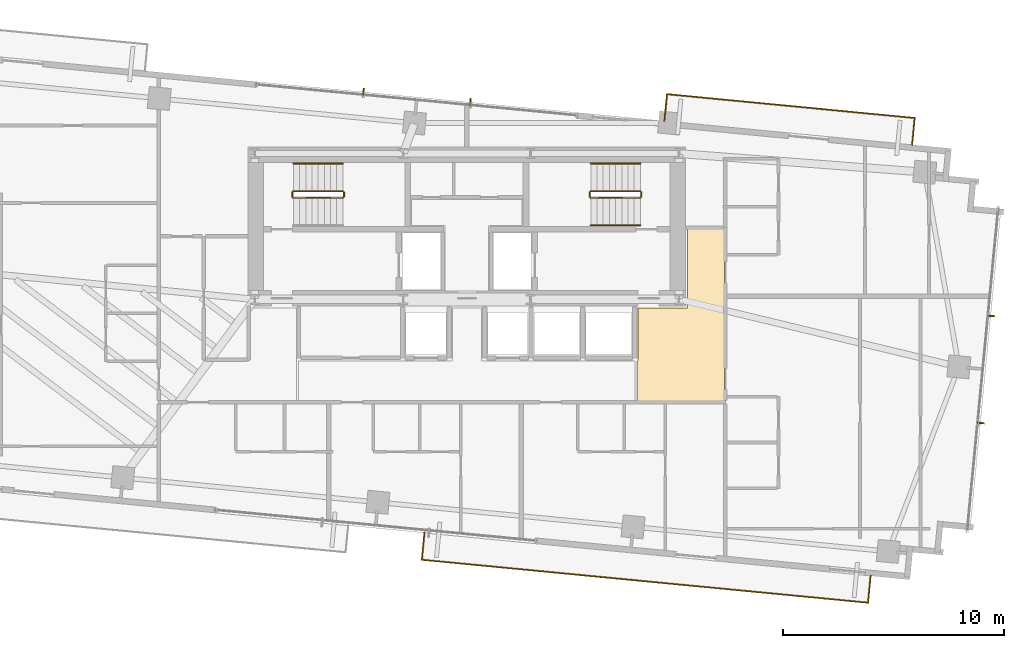
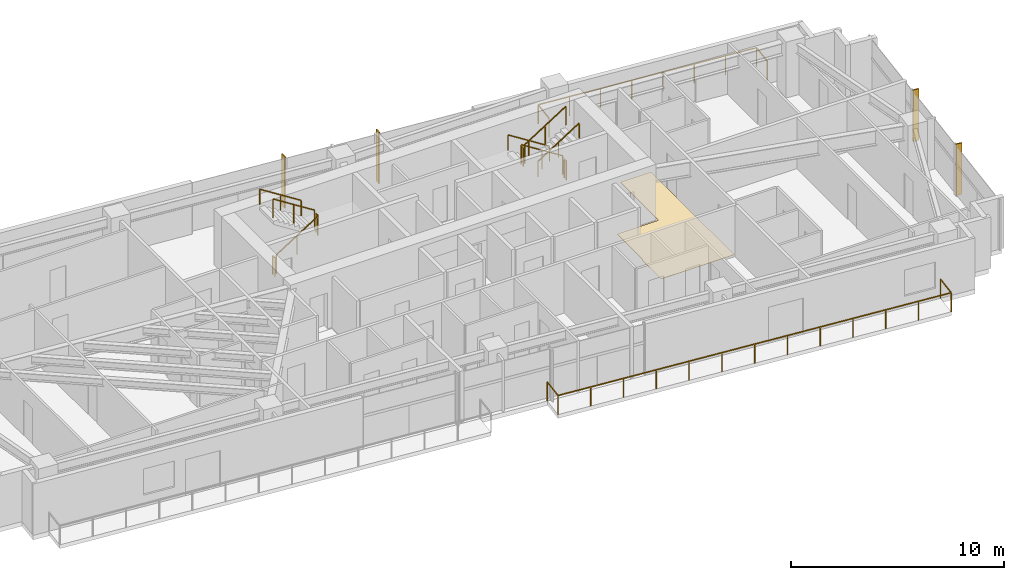
# One storey, part 19 of 19: 13 railings, 4 shading devices, 1 covering.
"""IFC4 building model written with IfcOpenShell, lengths in metres."""

from ifc_helpers import new_model, si_unit, direction, frame, origin, origin_2d, place, context, subcontext, project, spatial, polyline, rectangle, outline, extrude, source, transform, mapped, material, layer, layer_set, type_object, type_shapes, element, save


model = new_model("IFC4")

# Units and contexts
model_context = context("Model", 3, precision=1e-05, world=origin(), true_north=direction((0.0, 1.0)))
body_context = subcontext(model_context, "Body", "Model", "MODEL_VIEW")
ifc_project = project(units=[si_unit("LENGTHUNIT", "METRE"), si_unit("AREAUNIT", "SQUARE_METRE"), si_unit("VOLUMEUNIT", "CUBIC_METRE"), si_unit("PLANEANGLEUNIT", "RADIAN"), si_unit("MASSUNIT", "GRAM", prefix="KILO")], contexts=[model_context])

# Site, building, storey
site_placement = place(None, origin())
site = spatial("IfcSite", under=ifc_project, at=site_placement, CompositionType="ELEMENT")
building_placement = place(site_placement, origin())
building = spatial("IfcBuilding", under=site, at=building_placement, Name="Astriad Promenade Condominiums", CompositionType="ELEMENT")
storey_placement = place(building_placement, frame((0.0, 0.0, 140.60009765625)))
storey = spatial("IfcBuildingStorey", under=building, at=storey_placement, Name="L40", CompositionType="ELEMENT", Elevation=140.60009765625)

# Covering
ifc_material_1 = material(Name="Polished Lakefront Terrazzo Flooring")
ifc_layer = layer(ifc_material_1, 0.02001953125)
ifc_layer_set = layer_set([ifc_layer], Name="Polished Lakefront Terrazzo Flooring")
covering_type = type_object("IfcCoveringType", Name="COV-FLOR-TERRAZZO-20", PredefinedType="FLOORING", material=ifc_layer_set)
covering_placement = place(storey_placement, origin())
element("IfcCovering", 1, at=covering_placement, inside=storey, type_object=covering_type, Name="FLR-L40-COR-1", PredefinedType="FLOORING", context=body_context, shape_type="SweptSolid", body=[
    extrude(outline(polyline([(43.699951171875, 12.7900390625), (43.699951171875, 14.610107421875), (43.703857421875, 14.610107421875), (43.707763671875, 14.61083984375), (43.711669921875, 14.61181640625), (43.71533203125, 14.613037109375), (43.718994140625, 14.61474609375), (43.72216796875, 14.61669921875), (43.725341796875, 14.619140625), (43.728271484375, 14.62158203125), (43.73095703125, 14.62451171875), (43.7333984375, 14.627685546875), (43.7353515625, 14.631103515625), (43.737060546875, 14.634765625), (43.73828125, 14.638427734375), (43.7392578125, 14.64208984375), (43.73974609375, 14.64599609375), (43.739990234375, 14.64990234375), (43.739990234375, 17.010009765625), (45.949951171875, 17.010009765625), (45.953857421875, 17.01025390625), (45.957763671875, 17.0107421875), (45.961669921875, 17.01171875), (45.96533203125, 17.012939453125), (45.968994140625, 17.0146484375), (45.97216796875, 17.0166015625), (45.975341796875, 17.01904296875), (45.978271484375, 17.021728515625), (45.98095703125, 17.024658203125), (45.9833984375, 17.02783203125), (45.9853515625, 17.031005859375), (45.987060546875, 17.03466796875), (45.98828125, 17.038330078125), (45.9892578125, 17.042236328125), (45.98974609375, 17.046142578125), (45.989990234375, 17.050048828125), (45.989990234375, 20.610107421875), (47.659912109375, 20.610107421875), (47.659912109375, 12.7900390625), (43.699951171875, 12.7900390625)])), origin(), (0.0, 0.0, 1.0), 0.02001953125),
])

# Shading devices
ifc_material_2 = material(Name="Anodised aluminium 6063-T6 Black Fin", Category="aluminium")
shading_device_type = type_object("IfcShadingDeviceType", Name="FIN-BLACK-260", PredefinedType="USERDEFINED", material=ifc_material_2)
shared_shape_1 = source(origin(), body_context, "Body", "SweptSolid", [
    extrude(rectangle(XDim=0.06494140625, YDim=0.320068359375, at=origin_2d()), origin(), (0.0, 0.0, 1.0), 2.93994140625),
])
type_shapes(shading_device_type, [shared_shape_1])
for number, where, z_axis, x_axis, name in (
    (2, (31.3212890625, 26.7978515625, 0.0), (0.0, 0.0, 1.0), (0.995396198367, -0.09584575252, 0.0), "CW-L40-N-FIN-01"),
    (3, (36.1591796875, 26.331787109375, 0.0), (0.0, 0.0, 1.0), (0.995396198367, -0.09584575252, 0.0), "CW-L40-N-FIN-02"),
    (4, (59.7197265625, 16.652587890625, 0.0), (0.0, 0.0, 1.0), (-0.09584575252, -0.995396198367, 0.0), "CW-L40-E-FIN-01"),
    (5, (59.25341796875, 11.808349609375, 0.0), (0.0, 0.0, 1.0), (-0.09584575252, -0.995396198367, 0.0), "CW-L40-E-FIN-02"),
):
    element("IfcShadingDevice", number, at=place(storey_placement, frame(where, z_axis=z_axis, x_axis=x_axis)), inside=storey, type_object=shading_device_type, Name=name, ObjectType="FIN", PredefinedType="USERDEFINED", context=body_context, shape_type="MappedRepresentation", body=[
        mapped(shared_shape_1, transform((0.0, 0.0, 0.0), scale=1.0)),
    ])

# Railings
ifc_material_3 = material(Name="Laminated Glass and Stainless Steel Balustrade", Category="steel")
railing_type_1 = type_object("IfcRailingType", Name="GRD-BALC-1120", PredefinedType="BALUSTRADE", material=ifc_material_3)
shared_shape_2 = source(origin(), body_context, "Body", "SweptSolid", [
    extrude(rectangle(XDim=0.048095703125, YDim=0.048095703125, at=origin_2d()), frame((0.0, 0.0, 1.09619140625), z_axis=(-0.0958382164, -0.995396923984, 0.0), x_axis=(0.995396923984, -0.0958382164, 0.0)), (0.0, 0.0, 1.0), 1.22021484375),
    extrude(rectangle(XDim=0.048095703125, YDim=0.048095703125, at=origin_2d()), frame((-0.116943359375, -1.214599609375, 1.09619140625), z_axis=(0.995396607143, -0.09584150713, 0.0), x_axis=(0.09584150713, 0.995396607143, 0.0)), (0.0, 0.0, 1.0), 20.287109375),
    extrude(rectangle(XDim=0.048095703125, YDim=0.048095703125, at=origin_2d()), frame((20.07666015625, -3.158935546875, 1.09619140625), z_axis=(0.095857307208, 0.99539508571, 0.0), x_axis=(-0.99539508571, 0.095857307208, 0.0)), (0.0, 0.0, 1.0), 1.219970703125),
    extrude(rectangle(XDim=0.0419921875, YDim=0.0419921875, at=origin_2d()), origin(), (0.0, 0.0, 1.0), 1.072021484375),
    extrude(rectangle(XDim=0.0419921875, YDim=0.0419921875, at=origin_2d()), frame((-0.116943359375, -1.214599609375, 0.0)), (0.0, 0.0, 1.0), 1.072021484375),
    extrude(rectangle(XDim=0.0419921875, YDim=0.0419921875, at=origin_2d()), frame((1.56591796875, -1.376708984375, 0.0)), (0.0, 0.0, 1.0), 1.072021484375),
    extrude(rectangle(XDim=0.0419921875, YDim=0.0419921875, at=origin_2d()), frame((3.24853515625, -1.53857421875, 0.0)), (0.0, 0.0, 1.0), 1.072021484375),
    extrude(rectangle(XDim=0.0419921875, YDim=0.0419921875, at=origin_2d()), frame((4.931396484375, -1.70068359375, 0.0)), (0.0, 0.0, 1.0), 1.072021484375),
    extrude(rectangle(XDim=0.0419921875, YDim=0.0419921875, at=origin_2d()), frame((6.6142578125, -1.86279296875, 0.0)), (0.0, 0.0, 1.0), 1.072021484375),
    extrude(rectangle(XDim=0.0419921875, YDim=0.0419921875, at=origin_2d()), frame((8.297119140625, -2.024658203125, 0.0)), (0.0, 0.0, 1.0), 1.072021484375),
    extrude(rectangle(XDim=0.0419921875, YDim=0.0419921875, at=origin_2d()), frame((9.97998046875, -2.186767578125, 0.0)), (0.0, 0.0, 1.0), 1.072021484375),
    extrude(rectangle(XDim=0.0419921875, YDim=0.0419921875, at=origin_2d()), frame((11.66259765625, -2.348876953125, 0.0)), (0.0, 0.0, 1.0), 1.072021484375),
    extrude(rectangle(XDim=0.0419921875, YDim=0.0419921875, at=origin_2d()), frame((13.345458984375, -2.5107421875, 0.0)), (0.0, 0.0, 1.0), 1.072021484375),
    extrude(rectangle(XDim=0.0419921875, YDim=0.0419921875, at=origin_2d()), frame((15.0283203125, -2.6728515625, 0.0)), (0.0, 0.0, 1.0), 1.072021484375),
    extrude(rectangle(XDim=0.0419921875, YDim=0.0419921875, at=origin_2d()), frame((16.7109375, -2.8349609375, 0.0)), (0.0, 0.0, 1.0), 1.072021484375),
    extrude(rectangle(XDim=0.0419921875, YDim=0.0419921875, at=origin_2d()), frame((18.393798828125, -2.996826171875, 0.0)), (0.0, 0.0, 1.0), 1.072021484375),
    extrude(rectangle(XDim=0.0419921875, YDim=0.0419921875, at=origin_2d()), frame((20.07666015625, -3.158935546875, 0.0)), (0.0, 0.0, 1.0), 1.072021484375),
    extrude(rectangle(XDim=0.0419921875, YDim=0.0419921875, at=origin_2d()), frame((20.193603515625, -1.944580078125, 0.0)), (0.0, 0.0, 1.0), 1.072021484375),
])
railing_1_placement = place(storey_placement, frame((34.077392578125, 6.831787109375, 0.0)))
element("IfcRailing", 6, at=railing_1_placement, inside=storey, type_object=railing_type_1, Name="GRD-BALC-L40-SE", PredefinedType="BALUSTRADE", context=body_context, shape_type="MappedRepresentation", body=[
    mapped(shared_shape_2, transform((0.0, 0.0, 0.0), scale=1.0)),
])
shared_shape_3 = source(origin(), body_context, "Body", "SweptSolid", [
    extrude(rectangle(XDim=0.048095703125, YDim=0.048095703125, at=origin_2d()), frame((0.0, 0.0, 1.09619140625), z_axis=(0.095857307208, 0.99539508571, 0.0), x_axis=(-0.99539508571, 0.095857307208, 0.0)), (0.0, 0.0, 1.0), 1.219970703125),
    extrude(rectangle(XDim=0.048095703125, YDim=0.048095703125, at=origin_2d()), frame((0.116943359375, 1.21435546875, 1.09619140625), z_axis=(-0.995396352499, 0.095844151786, 0.0), x_axis=(-0.095844151786, -0.995396352499, 0.0)), (0.0, 0.0, 1.0), 11.263916015625),
    extrude(rectangle(XDim=0.048095703125, YDim=0.048095703125, at=origin_2d()), frame((-11.09521484375, 2.2939453125, 1.09619140625), z_axis=(-0.095857307208, -0.99539508571, 0.0), x_axis=(0.99539508571, -0.095857307208, 0.0)), (0.0, 0.0, 1.0), 1.219970703125),
    extrude(rectangle(XDim=0.0419921875, YDim=0.0419921875, at=origin_2d()), origin(), (0.0, 0.0, 1.0), 1.072021484375),
    extrude(rectangle(XDim=0.0419921875, YDim=0.0419921875, at=origin_2d()), frame((0.116943359375, 1.21435546875, 0.0)), (0.0, 0.0, 1.0), 1.072021484375),
    extrude(rectangle(XDim=0.0419921875, YDim=0.0419921875, at=origin_2d()), frame((-1.48486328125, 1.36865234375, 0.0)), (0.0, 0.0, 1.0), 1.072021484375),
    extrude(rectangle(XDim=0.0419921875, YDim=0.0419921875, at=origin_2d()), frame((-3.08642578125, 1.522705078125, 0.0)), (0.0, 0.0, 1.0), 1.072021484375),
    extrude(rectangle(XDim=0.0419921875, YDim=0.0419921875, at=origin_2d()), frame((-4.688232421875, 1.677001953125, 0.0)), (0.0, 0.0, 1.0), 1.072021484375),
    extrude(rectangle(XDim=0.0419921875, YDim=0.0419921875, at=origin_2d()), frame((-6.2900390625, 1.831298828125, 0.0)), (0.0, 0.0, 1.0), 1.072021484375),
    extrude(rectangle(XDim=0.0419921875, YDim=0.0419921875, at=origin_2d()), frame((-7.891845703125, 1.985595703125, 0.0)), (0.0, 0.0, 1.0), 1.072021484375),
    extrude(rectangle(XDim=0.0419921875, YDim=0.0419921875, at=origin_2d()), frame((-9.493408203125, 2.1396484375, 0.0)), (0.0, 0.0, 1.0), 1.072021484375),
    extrude(rectangle(XDim=0.0419921875, YDim=0.0419921875, at=origin_2d()), frame((-11.09521484375, 2.2939453125, 0.0)), (0.0, 0.0, 1.0), 1.072021484375),
    extrude(rectangle(XDim=0.0419921875, YDim=0.0419921875, at=origin_2d()), frame((-11.212158203125, 1.07958984375, 0.0)), (0.0, 0.0, 1.0), 1.072021484375),
])
type_shapes(railing_type_1, [shared_shape_2, shared_shape_3])
railing_2_placement = place(storey_placement, frame((56.149658203125, 24.39697265625, 0.0)))
element("IfcRailing", 7, at=railing_2_placement, inside=storey, type_object=railing_type_1, Name="GRD-BALC-L40-NE", PredefinedType="BALUSTRADE", context=body_context, shape_type="MappedRepresentation", body=[
    mapped(shared_shape_3, transform((0.0, 0.0, 0.0), scale=1.0)),
])
ifc_material_4 = material(Name="Painted Galvanised Steel Guardrail", Category="steel")
railing_type_2 = type_object("IfcRailingType", Name="GRD-STAIR-1100", PredefinedType="GUARDRAIL", material=ifc_material_4)
shared_shape_4 = source(origin(), body_context, "Body", "SweptSolid", [
    extrude(rectangle(XDim=0.048095703125, YDim=0.048095703125, at=origin_2d()), frame((0.0, 0.0, 1.076171875), z_axis=(0.0, 1.0, 0.0), x_axis=(-1.0, 0.0, 0.0)), (0.0, 0.0, 1.0), 0.199951171875),
    extrude(rectangle(XDim=0.0419921875, YDim=0.0419921875, at=origin_2d()), origin(), (0.0, 0.0, 1.0), 1.052001953125),
    extrude(rectangle(XDim=0.0419921875, YDim=0.0419921875, at=origin_2d()), frame((0.0, 0.199951171875, 0.0)), (0.0, 0.0, 1.0), 1.052001953125),
])
for number, where, name in (
    (8, (30.43994140625, 22.050048828125, 1.599853515625), "L40 ST-1 stair guard 2"),
    (9, (28.10009765625, 22.050048828125, 0.0), "L40 ST-1 stair guard 4"),
):
    element("IfcRailing", number, at=place(storey_placement, frame(where)), inside=storey, type_object=railing_type_2, Name=name, PredefinedType="GUARDRAIL", context=body_context, shape_type="MappedRepresentation", body=[
        mapped(shared_shape_4, transform((0.0, 0.0, 0.0), scale=1.0)),
    ])
shared_shape_5 = source(origin(), body_context, "Body", "SweptSolid", [
    extrude(rectangle(XDim=0.048095703125, YDim=0.048095703125, at=origin_2d()), frame((0.0, 0.0, 1.076171875), z_axis=(0.84418770128, 0.0, 0.536047689118), x_axis=(0.0, 1.0, 0.0)), (0.0, 0.0, 1.0), 2.6533203125),
    extrude(rectangle(XDim=0.0419921875, YDim=0.0419921875, at=origin_2d()), origin(), (0.0, 0.0, 1.0), 1.052001953125),
    extrude(rectangle(XDim=0.0419921875, YDim=0.0419921875, at=origin_2d()), frame((1.1201171875, 0.0, 0.711181640625)), (0.0, 0.0, 1.0), 1.052001953125),
    extrude(rectangle(XDim=0.0419921875, YDim=0.0419921875, at=origin_2d()), frame((2.239990234375, 0.0, 1.42236328125)), (0.0, 0.0, 1.0), 1.052001953125),
])
railing_3_placement = place(storey_placement, frame((41.610107421875, 22.0, 1.777587890625)))
element("IfcRailing", 10, at=railing_3_placement, inside=storey, type_object=railing_type_2, Name="L40 ST-2 stair guard 3", PredefinedType="GUARDRAIL", context=body_context, shape_type="MappedRepresentation", body=[
    mapped(shared_shape_5, transform((0.0, 0.0, 0.0), scale=1.0)),
])
shared_shape_6 = source(origin(), body_context, "Body", "SweptSolid", [
    extrude(rectangle(XDim=0.048095703125, YDim=0.048095703125, at=origin_2d()), frame((0.0, 0.0, 1.076171875), z_axis=(-0.8442293374, 0.0, 0.53598211339), x_axis=(0.0, -1.0, 0.0)), (0.0, 0.0, 1.0), 2.6533203125),
    extrude(rectangle(XDim=0.0419921875, YDim=0.0419921875, at=origin_2d()), origin(), (0.0, 0.0, 1.0), 1.052001953125),
    extrude(rectangle(XDim=0.0419921875, YDim=0.0419921875, at=origin_2d()), frame((-1.1201171875, 0.0, 0.7109375)), (0.0, 0.0, 1.0), 1.052001953125),
    extrude(rectangle(XDim=0.0419921875, YDim=0.0419921875, at=origin_2d()), frame((-2.239990234375, 0.0, 1.422119140625)), (0.0, 0.0, 1.0), 1.052001953125),
])
railing_4_placement = place(storey_placement, frame((43.85009765625, 22.300048828125, 0.177734375)))
element("IfcRailing", 11, at=railing_4_placement, inside=storey, type_object=railing_type_2, Name="L40 ST-2 stair guard 1", PredefinedType="GUARDRAIL", context=body_context, shape_type="MappedRepresentation", body=[
    mapped(shared_shape_6, transform((0.0, 0.0, 0.0), scale=1.0)),
])
ifc_material_5 = material(Name="Brushed Stainless Steel Handrail", Category="steel")
railing_type_3 = type_object("IfcRailingType", Name="HRL-STAIR-920", PredefinedType="HANDRAIL", material=ifc_material_5)
shared_shape_7 = source(origin(), body_context, "Body", "SweptSolid", [
    extrude(rectangle(XDim=0.048095703125, YDim=0.048095703125, at=origin_2d()), frame((0.0, 0.0, 0.8759765625), z_axis=(0.84418770128, 0.0, 0.536047689118), x_axis=(0.0, 1.0, 0.0)), (0.0, 0.0, 1.0), 2.6533203125),
    extrude(rectangle(XDim=0.0419921875, YDim=0.0419921875, at=origin_2d()), origin(), (0.0, 0.0, 1.0), 0.851806640625),
    extrude(rectangle(XDim=0.0419921875, YDim=0.0419921875, at=origin_2d()), frame((1.1201171875, 0.0, 0.711181640625)), (0.0, 0.0, 1.0), 0.851806640625),
    extrude(rectangle(XDim=0.0419921875, YDim=0.0419921875, at=origin_2d()), frame((2.239990234375, 0.0, 1.42236328125)), (0.0, 0.0, 1.0), 0.851806640625),
])
railing_5_placement = place(storey_placement, frame((41.610107421875, 20.75, 1.777587890625)))
element("IfcRailing", 12, at=railing_5_placement, inside=storey, type_object=railing_type_3, Name="L40 ST-2 stair handrail 2", PredefinedType="HANDRAIL", context=body_context, shape_type="MappedRepresentation", body=[
    mapped(shared_shape_7, transform((0.0, 0.0, 0.0), scale=1.0)),
])
shared_shape_8 = source(origin(), body_context, "Body", "SweptSolid", [
    extrude(rectangle(XDim=0.048095703125, YDim=0.048095703125, at=origin_2d()), frame((0.0, 0.0, 0.8759765625), z_axis=(-0.8442293374, 0.0, 0.53598211339), x_axis=(0.0, -1.0, 0.0)), (0.0, 0.0, 1.0), 2.6533203125),
    extrude(rectangle(XDim=0.0419921875, YDim=0.0419921875, at=origin_2d()), origin(), (0.0, 0.0, 1.0), 0.851806640625),
    extrude(rectangle(XDim=0.0419921875, YDim=0.0419921875, at=origin_2d()), frame((-1.1201171875, 0.0, 0.7109375)), (0.0, 0.0, 1.0), 0.851806640625),
    extrude(rectangle(XDim=0.0419921875, YDim=0.0419921875, at=origin_2d()), frame((-2.239990234375, 0.0, 1.422119140625)), (0.0, 0.0, 1.0), 0.851806640625),
])
railing_6_placement = place(storey_placement, frame((43.85009765625, 23.550048828125, 0.177734375)))
element("IfcRailing", 13, at=railing_6_placement, inside=storey, type_object=railing_type_3, Name="L40 ST-2 stair handrail 1", PredefinedType="HANDRAIL", context=body_context, shape_type="MappedRepresentation", body=[
    mapped(shared_shape_8, transform((0.0, 0.0, 0.0), scale=1.0)),
])
shared_shape_9 = source(origin(), body_context, "Body", "SweptSolid", [
    extrude(rectangle(XDim=0.048095703125, YDim=0.048095703125, at=origin_2d()), frame((0.0, 0.0, 1.076171875), z_axis=(0.8442293374, 0.0, 0.53598211339), x_axis=(0.0, 1.0, 0.0)), (0.0, 0.0, 1.0), 2.6533203125),
    extrude(rectangle(XDim=0.0419921875, YDim=0.0419921875, at=origin_2d()), origin(), (0.0, 0.0, 1.0), 1.052001953125),
    extrude(rectangle(XDim=0.0419921875, YDim=0.0419921875, at=origin_2d()), frame((1.1201171875, 0.0, 0.7109375)), (0.0, 0.0, 1.0), 1.052001953125),
    extrude(rectangle(XDim=0.0419921875, YDim=0.0419921875, at=origin_2d()), frame((2.239990234375, 0.0, 1.422119140625)), (0.0, 0.0, 1.0), 1.052001953125),
])
railing_7_placement = place(storey_placement, frame((28.14990234375, 22.0, 0.177734375)))
element("IfcRailing", 14, at=railing_7_placement, inside=storey, type_object=railing_type_2, Name="L40 ST-1 stair guard 1", PredefinedType="GUARDRAIL", context=body_context, shape_type="MappedRepresentation", body=[
    mapped(shared_shape_9, transform((0.0, 0.0, 0.0), scale=1.0)),
])
shared_shape_10 = source(origin(), body_context, "Body", "SweptSolid", [
    extrude(rectangle(XDim=0.048095703125, YDim=0.048095703125, at=origin_2d()), frame((0.0, 0.0, 1.076171875), z_axis=(-0.84418770128, 0.0, 0.536047689118), x_axis=(0.0, -1.0, 0.0)), (0.0, 0.0, 1.0), 2.6533203125),
    extrude(rectangle(XDim=0.0419921875, YDim=0.0419921875, at=origin_2d()), origin(), (0.0, 0.0, 1.0), 1.052001953125),
    extrude(rectangle(XDim=0.0419921875, YDim=0.0419921875, at=origin_2d()), frame((-1.1201171875, 0.0, 0.711181640625)), (0.0, 0.0, 1.0), 1.052001953125),
    extrude(rectangle(XDim=0.0419921875, YDim=0.0419921875, at=origin_2d()), frame((-2.239990234375, 0.0, 1.42236328125)), (0.0, 0.0, 1.0), 1.052001953125),
])
railing_8_placement = place(storey_placement, frame((30.389892578125, 22.300048828125, 1.777587890625)))
element("IfcRailing", 15, at=railing_8_placement, inside=storey, type_object=railing_type_2, Name="L40 ST-1 stair guard 3", PredefinedType="GUARDRAIL", context=body_context, shape_type="MappedRepresentation", body=[
    mapped(shared_shape_10, transform((0.0, 0.0, 0.0), scale=1.0)),
])
shared_shape_11 = source(origin(), body_context, "Body", "SweptSolid", [
    extrude(rectangle(XDim=0.048095703125, YDim=0.048095703125, at=origin_2d()), frame((0.0, 0.0, 0.8759765625), z_axis=(-0.84418770128, 0.0, 0.536047689118), x_axis=(0.0, -1.0, 0.0)), (0.0, 0.0, 1.0), 2.6533203125),
    extrude(rectangle(XDim=0.0419921875, YDim=0.0419921875, at=origin_2d()), origin(), (0.0, 0.0, 1.0), 0.851806640625),
    extrude(rectangle(XDim=0.0419921875, YDim=0.0419921875, at=origin_2d()), frame((-1.1201171875, 0.0, 0.711181640625)), (0.0, 0.0, 1.0), 0.851806640625),
    extrude(rectangle(XDim=0.0419921875, YDim=0.0419921875, at=origin_2d()), frame((-2.239990234375, 0.0, 1.42236328125)), (0.0, 0.0, 1.0), 0.851806640625),
])
type_shapes(railing_type_3, [shared_shape_7, shared_shape_8, shared_shape_11])
railing_9_placement = place(storey_placement, frame((30.389892578125, 23.550048828125, 1.777587890625)))
element("IfcRailing", 16, at=railing_9_placement, inside=storey, type_object=railing_type_3, Name="L40 ST-1 stair handrail 2", PredefinedType="HANDRAIL", context=body_context, shape_type="MappedRepresentation", body=[
    mapped(shared_shape_11, transform((0.0, 0.0, 0.0), scale=1.0)),
])
shared_shape_12 = source(origin(), body_context, "Body", "SweptSolid", [
    extrude(rectangle(XDim=0.048095703125, YDim=0.048095703125, at=origin_2d()), frame((0.0, 0.0, 1.076171875), z_axis=(0.0, -1.0, 0.0), x_axis=(1.0, 0.0, 0.0)), (0.0, 0.0, 1.0), 0.199951171875),
    extrude(rectangle(XDim=0.0419921875, YDim=0.0419921875, at=origin_2d()), origin(), (0.0, 0.0, 1.0), 1.052001953125),
    extrude(rectangle(XDim=0.0419921875, YDim=0.0419921875, at=origin_2d()), frame((0.0, -0.199951171875, 0.0)), (0.0, 0.0, 1.0), 1.052001953125),
])
type_shapes(railing_type_2, [shared_shape_4, shared_shape_5, shared_shape_6, shared_shape_9, shared_shape_10, shared_shape_12])
for number, where, name in (
    (17, (41.56005859375, 22.25, 1.599853515625), "L40 ST-2 stair guard 2"),
    (18, (43.89990234375, 22.25, 0.0), "L40 ST-2 stair guard 4"),
):
    element("IfcRailing", number, at=place(storey_placement, frame(where)), inside=storey, type_object=railing_type_2, Name=name, PredefinedType="GUARDRAIL", context=body_context, shape_type="MappedRepresentation", body=[
        mapped(shared_shape_12, transform((0.0, 0.0, 0.0), scale=1.0)),
    ])

save(model, "model.ifc")
